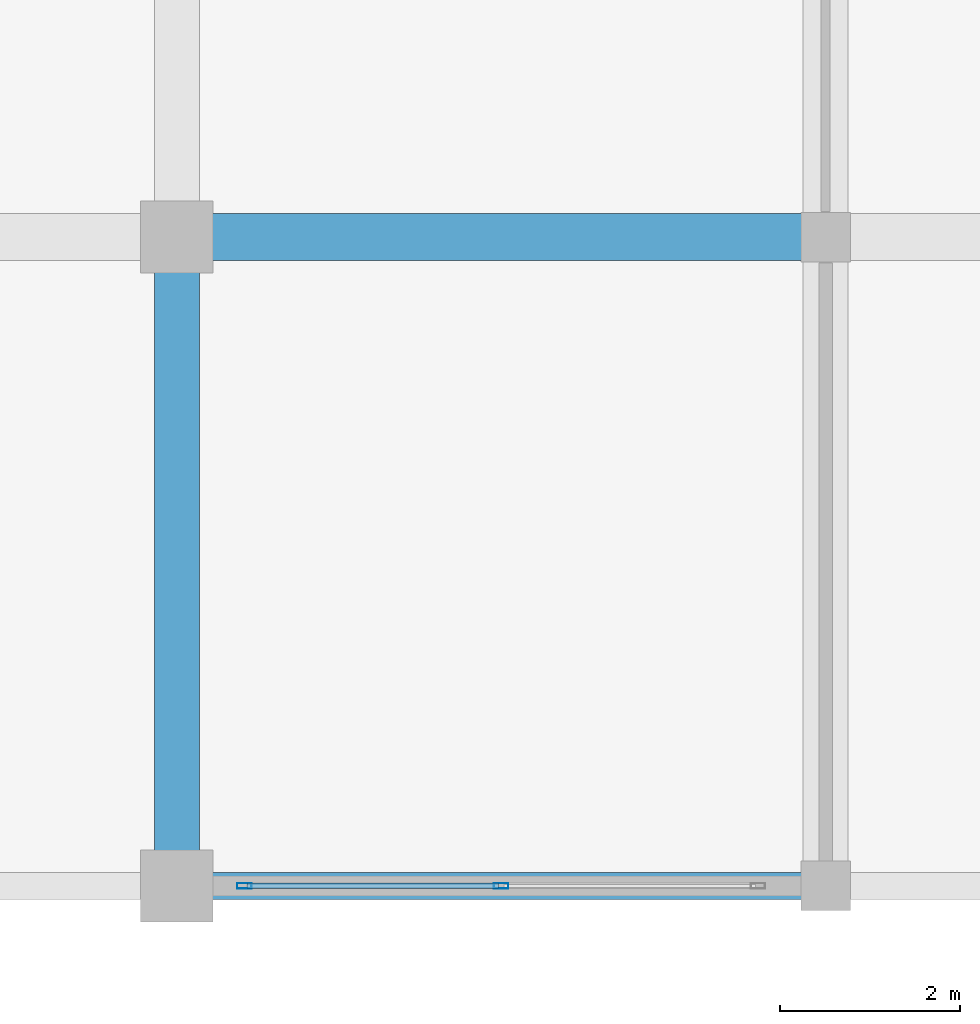
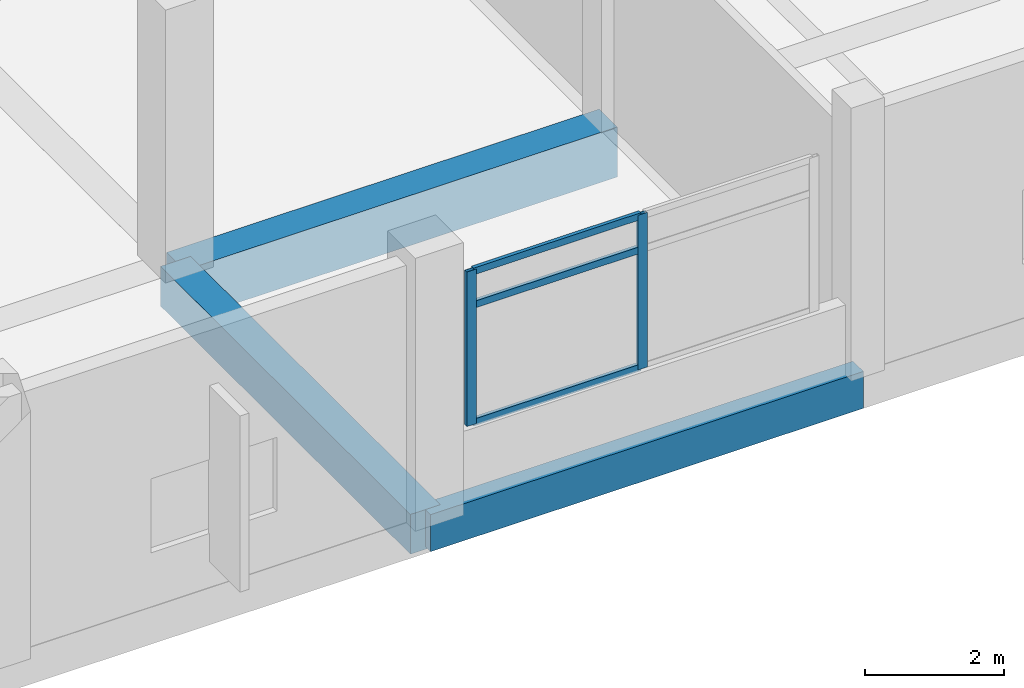
# One storey, part 38 of 140: 5 members, 3 beams, 1 element without a shape of its own.
"""IFC4 building model written with IfcOpenShell, lengths in metres."""

from ifc_helpers import new_model, si_unit, direction, frame, origin, origin_2d, place, context, subcontext, project, spatial, rectangle, hollow_rectangle, extrude, material, layer, layer_set, material_profile, profile_set, type_object, element, aggregate, save


model = new_model("IFC4")

# Units and contexts
model_context = context("Model", 3, precision=1e-05, world=origin(), true_north=direction((0.0, 1.0)))
body_context = subcontext(model_context, "Body", "Model", "MODEL_VIEW")
ifc_project = project(units=[si_unit("LENGTHUNIT", "METRE"), si_unit("AREAUNIT", "SQUARE_METRE"), si_unit("VOLUMEUNIT", "CUBIC_METRE"), si_unit("PLANEANGLEUNIT", "RADIAN"), si_unit("MASSUNIT", "GRAM", prefix="KILO")], contexts=[model_context])

# Site, building, storey
site_placement = place(None, origin())
site = spatial("IfcSite", under=ifc_project, at=site_placement, CompositionType="ELEMENT")
building_placement = place(site_placement, origin())
building = spatial("IfcBuilding", under=site, at=building_placement, Name="Seraya Terrace Polytechnic", CompositionType="ELEMENT")
storey_placement = place(building_placement, frame((0.0, 0.0, 9.60009765625)))
storey = spatial("IfcBuildingStorey", under=building, at=storey_placement, Name="L02", CompositionType="ELEMENT", Elevation=9.60009765625)

# Beams
ifc_material_1 = material(Name="Concrete C40/50", Category="concrete")
ifc_material_profile_1 = material_profile(ifc_material_1, rectangle(XDim=0.52001953125, YDim=0.8798828125, at=origin_2d()), Name="RC 520x880")
ifc_profile_set_1 = profile_set([ifc_material_profile_1], Name="Concrete C40/50")
beam_type_1 = type_object("IfcBeamType", Name="BM-04", PredefinedType="BEAM", material=ifc_profile_set_1)
beam_1_placement = place(storey_placement, frame((122.39990234375, 7.199951171875, -0.440185546875), z_axis=(1.0, 0.0, 0.0), x_axis=(0.0, 1.0, 0.0)))
element("IfcBeam", 1, at=beam_1_placement, inside=storey, type_object=beam_type_1, Name="Beam BM-04 L02 X (122.4..129.6, 7.2)", PredefinedType="BEAM", context=body_context, shape_type="SweptSolid", body=[
    extrude(rectangle(XDim=0.52001953125, YDim=0.8798828125, at=origin_2d()), origin(), (0.0, 0.0, 1.0), 7.2001953125),
])
ifc_material_profile_2 = material_profile(ifc_material_1, rectangle(XDim=0.5, YDim=0.699951171875, at=origin_2d()), Name="RC 500x700")
ifc_profile_set_2 = profile_set([ifc_material_profile_2], Name="Concrete C40/50")
beam_type_2 = type_object("IfcBeamType", Name="BM-07", PredefinedType="BEAM", material=ifc_profile_set_2)
beam_2_placement = place(storey_placement, frame((122.39990234375, 0.0, -0.35009765625), z_axis=(0.0, 1.0, 0.0), x_axis=(-1.0, 0.0, 0.0)))
element("IfcBeam", 2, at=beam_2_placement, inside=storey, type_object=beam_type_2, Name="Beam BM-07 L02 Y (122.4, 0.0..7.2)", PredefinedType="BEAM", context=body_context, shape_type="SweptSolid", body=[
    extrude(rectangle(XDim=0.5, YDim=0.699951171875, at=origin_2d()), origin(), (0.0, 0.0, 1.0), 7.199951171875),
])

# Curtain wall, members
ifc_material_2 = material(Name="Anodised aluminium EN AW-6063 T6", Category="aluminium")
ifc_layer = layer(ifc_material_2, 0.179931640625, Name="CW-35")
ifc_layer_set = layer_set([ifc_layer], Name="Anodised aluminium EN AW-6063 T6")
curtain_wall_type = type_object("IfcCurtainWallType", Name="CW-35", PredefinedType="NOTDEFINED", material=ifc_layer_set)
curtain_wall_placement = place(storey_placement, origin())
curtain_wall = element("IfcCurtainWall", 3, at=curtain_wall_placement, inside=storey, type_object=curtain_wall_type, Name="Unitised curtain wall CW-35 (CW-L02-071)", PredefinedType="NOTDEFINED")
ifc_material_profile_3 = material_profile(ifc_material_2, hollow_rectangle(XDim=0.06005859375, YDim=0.159912109375, WallThickness=0.00341796875, at=origin_2d()), Name="RHS 160x60x3.5")
ifc_profile_set_3 = profile_set([ifc_material_profile_3], Name="Anodised aluminium EN AW-6063 T6")
member_type_1 = type_object("IfcMemberType", Name="CWM-02", PredefinedType="MULLION", material=ifc_profile_set_3)
member_1_placement = place(storey_placement, frame((126.0, 0.0, 1.239990234375), z_axis=(0.0, 0.0, 1.0), x_axis=(0.0, -1.0, 0.0)))
member_1 = element("IfcMember", 4, at=member_1_placement, type_object=member_type_1, Name="CW-35 mullion 2", PredefinedType="MULLION", context=body_context, shape_type="SweptSolid", body=[
    extrude(hollow_rectangle(XDim=0.06005859375, YDim=0.159912109375, WallThickness=0.00341796875, at=origin_2d()), origin(), (0.0, 0.0, 1.0), 2.719970703125),
])
member_2_placement = place(storey_placement, frame((123.14990234375, 0.0, 1.239990234375), z_axis=(0.0, 0.0, 1.0), x_axis=(0.0, -1.0, 0.0)))
member_2 = element("IfcMember", 5, at=member_2_placement, type_object=member_type_1, Name="CW-35 mullion 3", PredefinedType="MULLION", context=body_context, shape_type="SweptSolid", body=[
    extrude(hollow_rectangle(XDim=0.06005859375, YDim=0.159912109375, WallThickness=0.00341796875, at=origin_2d()), origin(), (0.0, 0.0, 1.0), 2.719970703125),
])
ifc_material_profile_4 = material_profile(ifc_material_2, hollow_rectangle(XDim=0.06005859375, YDim=0.1201171875, WallThickness=0.003173828125, at=origin_2d()), Name="RHS 120x60x3.2")
ifc_profile_set_4 = profile_set([ifc_material_profile_4], Name="Anodised aluminium EN AW-6063 T6")
member_type_2 = type_object("IfcMemberType", Name="CWT-02", PredefinedType="USERDEFINED", material=ifc_profile_set_4)
member_3_placement = place(storey_placement, frame((125.969970703125, 0.0, 1.27001953125), z_axis=(-1.0, 0.0, 0.0), x_axis=(0.0, -1.0, 0.0)))
member_3 = element("IfcMember", 6, at=member_3_placement, type_object=member_type_2, Name="CW-35 transom 2.1", ObjectType="TRANSOM", PredefinedType="USERDEFINED", context=body_context, shape_type="SweptSolid", body=[
    extrude(hollow_rectangle(XDim=0.06005859375, YDim=0.1201171875, WallThickness=0.003173828125, at=origin_2d()), origin(), (0.0, 0.0, 1.0), 2.7900390625),
])
member_4_placement = place(storey_placement, frame((125.969970703125, 0.0, 3.33984375), z_axis=(-1.0, 0.0, 0.0), x_axis=(0.0, -1.0, 0.0)))
member_4 = element("IfcMember", 7, at=member_4_placement, type_object=member_type_2, Name="CW-35 transom 2.2", ObjectType="TRANSOM", PredefinedType="USERDEFINED", context=body_context, shape_type="SweptSolid", body=[
    extrude(hollow_rectangle(XDim=0.06005859375, YDim=0.1201171875, WallThickness=0.003173828125, at=origin_2d()), origin(), (0.0, 0.0, 1.0), 2.7900390625),
])
member_5_placement = place(storey_placement, frame((125.969970703125, 0.0, 3.929931640625), z_axis=(-1.0, 0.0, 0.0), x_axis=(0.0, -1.0, 0.0)))
member_5 = element("IfcMember", 8, at=member_5_placement, type_object=member_type_2, Name="CW-35 transom 2.3", ObjectType="TRANSOM", PredefinedType="USERDEFINED", context=body_context, shape_type="SweptSolid", body=[
    extrude(hollow_rectangle(XDim=0.06005859375, YDim=0.1201171875, WallThickness=0.003173828125, at=origin_2d()), origin(), (0.0, 0.0, 1.0), 2.7900390625),
])
aggregate(curtain_wall, [member_1, member_2, member_3, member_4, member_5])

# Beam
ifc_material_profile_5 = material_profile(ifc_material_1, rectangle(XDim=0.300048828125, YDim=0.64990234375, at=origin_2d()), Name="RC 300x650")
ifc_profile_set_5 = profile_set([ifc_material_profile_5], Name="Concrete C40/50")
beam_type_3 = type_object("IfcBeamType", Name="SP-01", PredefinedType="SPANDREL", material=ifc_profile_set_5)
beam_3_placement = place(storey_placement, frame((122.39990234375, 0.0, -0.3251953125), z_axis=(1.0, 0.0, 0.0), x_axis=(0.0, 1.0, 0.0)))
element("IfcBeam", 9, at=beam_3_placement, inside=storey, type_object=beam_type_3, Name="Beam SP-01 L02 X (122.4..129.6, 0.0)", PredefinedType="SPANDREL", context=body_context, shape_type="SweptSolid", body=[
    extrude(rectangle(XDim=0.300048828125, YDim=0.64990234375, at=origin_2d()), origin(), (0.0, 0.0, 1.0), 7.2001953125),
])

save(model, "model.ifc")
